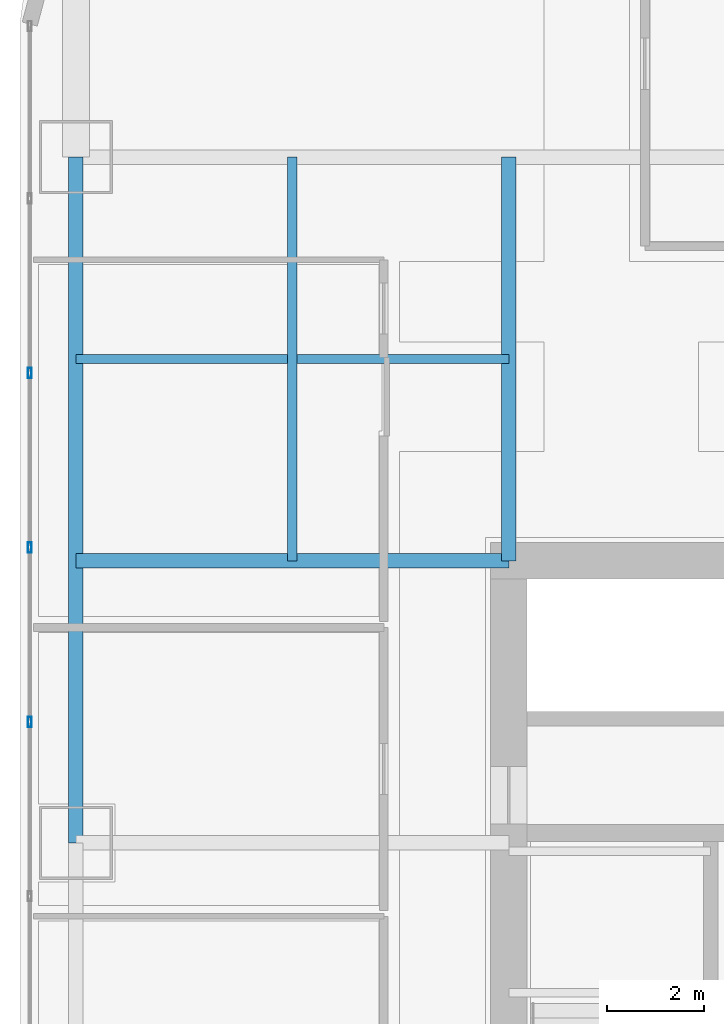
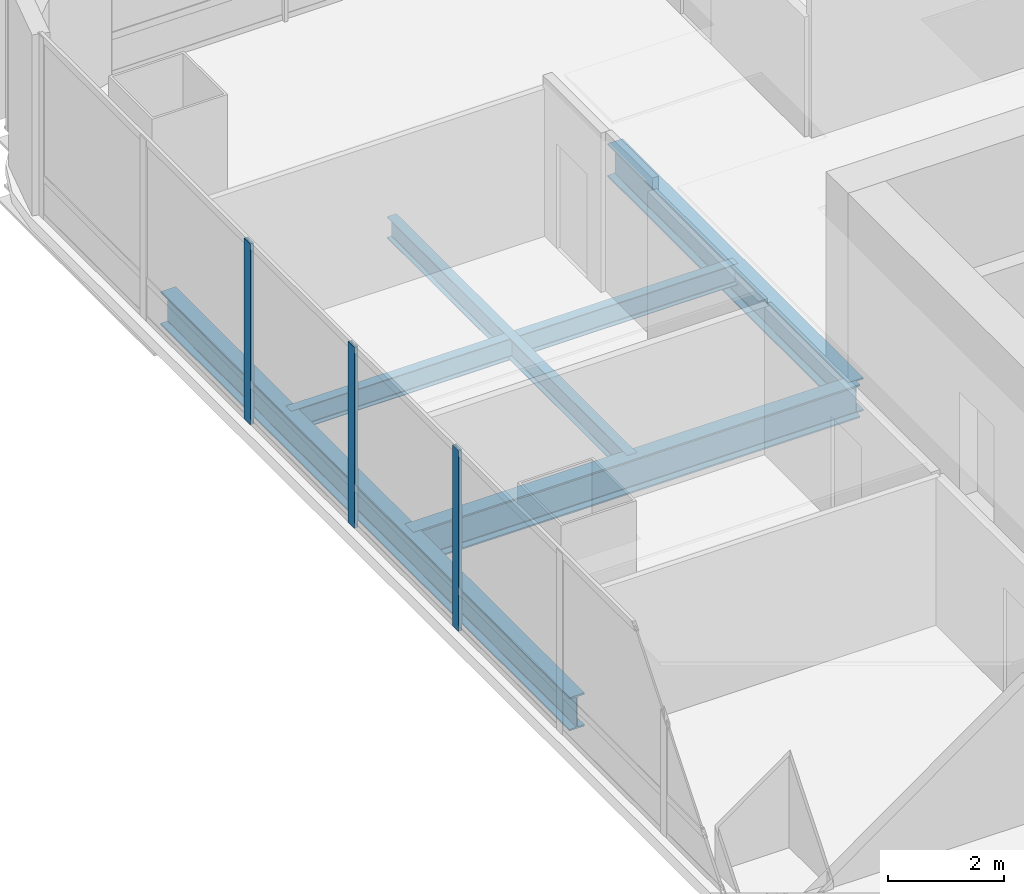
# One storey, part 11 of 34: 5 beams, 3 members, 1 element without a shape of its own.
"""IFC4 building model written with IfcOpenShell, lengths in metres."""

import ifcopenshell
import ifcopenshell.guid

model = None  # the IFC model being written
_history = None  # IfcOwnerHistory: only IFC2X3 demands one
_inside = {}  # id of a spatial element -> (the spatial element, [elements in it])
_under = {}  # id of a project, library or spatial element -> (it, [spatial elements below it])
_declared = {}  # id of a project -> (the project, [libraries it declares])
_typed = {}  # id of a type object -> (the type object, [elements of that type])
_made_of = {}  # id of a material, layer set ... -> (it, [elements and type objects made of it])


def new_model(schema):
    """Start an empty IFC model of exactly this schema.

    Asked for "IFC4X3", IfcOpenShell would pick the latest addendum, in which some entities
    have other attributes; the version numbers below select the first issue.
    IFC2X3 requires an IfcOwnerHistory on every rooted entity: one is made here for all.
    """
    global model, _history
    if schema == "IFC4X3":
        model = ifcopenshell.file(schema_version=(4, 3, 0, 0))
    else:
        model = ifcopenshell.file(schema=schema)
    _inside.clear()
    _under.clear()
    _declared.clear()
    _typed.clear()
    _made_of.clear()
    _history = None
    if model.schema == "IFC2X3":
        org = make("IfcOrganization", Name="unknown")
        user = make(
            "IfcPersonAndOrganization",
            ThePerson=make("IfcPerson", FamilyName="unknown"),
            TheOrganization=org,
        )
        app = make(
            "IfcApplication",
            ApplicationDeveloper=org,
            Version="unknown",
            ApplicationFullName="unknown",
            ApplicationIdentifier="unknown",
        )
        _history = make(
            "IfcOwnerHistory",
            OwningUser=user,
            OwningApplication=app,
            ChangeAction="ADDED",
            CreationDate=0,
        )
    return model


def make(cls, **values):
    """One entity of the class cls with the attributes given. An attribute that is None is left unset."""
    return model.create_entity(
        cls, **{name: value for name, value in values.items() if value is not None}
    )


def rooted(cls, **values):
    """An entity with a GlobalId (a new one), such as an element, a storey or a relation."""
    return make(cls, GlobalId=ifcopenshell.guid.new(), OwnerHistory=_history, **values)


def si_unit(unit_type, name, prefix=None):
    """IfcSIUnit, for example si_unit("LENGTHUNIT", "METRE", prefix="MILLI")."""
    return make("IfcSIUnit", UnitType=unit_type, Prefix=prefix, Name=name)


def assignment(units):
    """IfcUnitAssignment: the units of a project."""
    return None if units is None else make("IfcUnitAssignment", Units=units)


def point(xyz):
    """IfcCartesianPoint."""
    return None if xyz is None else make("IfcCartesianPoint", Coordinates=xyz)


def direction(xyz):
    """IfcDirection."""
    return None if xyz is None else make("IfcDirection", DirectionRatios=xyz)


def frame(location, z_axis=None, x_axis=None):
    """IfcAxis2Placement3D, a coordinate frame: its origin and axes. An axis left out is left unset."""
    return make(
        "IfcAxis2Placement3D",
        Location=point(location),
        Axis=direction(z_axis),
        RefDirection=direction(x_axis),
    )


def frame_2d(location, x_axis=None):
    """IfcAxis2Placement2D, a coordinate frame in the plane: its origin and x axis."""
    return make(
        "IfcAxis2Placement2D", Location=point(location), RefDirection=direction(x_axis)
    )


def origin():
    """The frame at (0, 0, 0) with its axes left unset."""
    return frame((0.0, 0.0, 0.0))


def origin_2d():
    """The frame at (0, 0) in the plane with its x axis left unset."""
    return frame_2d((0.0, 0.0))


def place(relative_to, where):
    """IfcLocalPlacement: puts the frame where relative to a parent placement (None: the world)."""
    return make(
        "IfcLocalPlacement", PlacementRelTo=relative_to, RelativePlacement=where
    )


def context(
    kind, dimensions, precision=None, world=None, true_north=None, identifier=None
):
    """IfcGeometricRepresentationContext, for example the 3D "Model" context."""
    return make(
        "IfcGeometricRepresentationContext",
        ContextIdentifier=identifier,
        ContextType=kind,
        CoordinateSpaceDimension=dimensions,
        Precision=precision,
        WorldCoordinateSystem=world,
        TrueNorth=true_north,
    )


def subcontext(parent, identifier, kind, view, scale=None):
    """IfcGeometricRepresentationSubContext, for example "Body" below "Model"."""
    return make(
        "IfcGeometricRepresentationSubContext",
        ContextIdentifier=identifier,
        ContextType=kind,
        ParentContext=parent,
        TargetScale=scale,
        TargetView=view,
    )


def project(units=None, contexts=None):
    """IfcProject with its units and contexts."""
    return rooted(
        "IfcProject",
        Name="project",
        RepresentationContexts=contexts,
        UnitsInContext=assignment(units),
    )


def spatial(cls, under=None, at=None, **own):
    """A site, building, storey or space (cls), placed at a placement, below another one or the project."""
    s = rooted(cls, ObjectPlacement=at, **own)
    if under is not None:
        _under.setdefault(under.id(), (under, []))[1].append(s)
    return s


def profile(cls, at=None, kind="AREA", **sizes):
    """A parametric profile (cls). Its sizes go by their IFC names, for example OverallWidth=200.0."""
    return make(cls, ProfileType=kind, Position=at, **sizes)


def hollow_rectangle(**sizes):
    """IfcRectangleHollowProfileDef."""
    return profile("IfcRectangleHollowProfileDef", **sizes)


def i_section(**sizes):
    """IfcIShapeProfileDef."""
    return profile("IfcIShapeProfileDef", **sizes)


def extrude(swept, where, along, depth):
    """IfcExtrudedAreaSolid: the profile swept, set in the frame where, extruded along a direction by depth."""
    return make(
        "IfcExtrudedAreaSolid",
        SweptArea=swept,
        Position=where,
        ExtrudedDirection=direction(along),
        Depth=depth,
    )


def shape(context_of_items, identifier, shape_type, items):
    """IfcShapeRepresentation: the items that make up one representation, for example the "Body"."""
    return make(
        "IfcShapeRepresentation",
        ContextOfItems=context_of_items,
        RepresentationIdentifier=identifier,
        RepresentationType=shape_type,
        Items=items,
    )


def material(Name=None, Category=None):
    """IfcMaterial."""
    return make("IfcMaterial", Name=Name, Category=Category)


def material_profile(
    of_material, cross_section, Name=None, Category=None, Priority=None
):
    """IfcMaterialProfile: a cross section and its material."""
    return make(
        "IfcMaterialProfile",
        Name=Name,
        Material=of_material,
        Profile=cross_section,
        Priority=Priority,
        Category=Category,
    )


def profile_set(profiles, Name=None, composite=None):
    """IfcMaterialProfileSet."""
    return make(
        "IfcMaterialProfileSet",
        Name=Name,
        MaterialProfiles=profiles,
        CompositeProfile=composite,
    )


def made_of(thing, what):
    """Note that an element or type object is made of a material, layer set ...; save() writes the relation."""
    if what is not None:
        _made_of.setdefault(what.id(), (what, []))[1].append(thing)
    return thing


def type_object(cls, material=None, **own):
    """A type object (cls), such as IfcWallType, which elements share."""
    return made_of(rooted(cls, **own), material)


def element(
    cls,
    number,
    at=None,
    inside=None,
    cuts=None,
    type_object=None,
    material=None,
    context=None,
    identifier="Body",
    shape_type=None,
    held_by="IfcProductDefinitionShape",
    body=None,
    shapes=None,
    **own,
):
    """One element of the class cls, such as IfcWall. Its Tag is "e" and its number.

    at: its placement. inside: the storey or other place that contains it. cuts: it is an
    opening in that element (IfcRelVoidsElement). A single representation is given by context,
    identifier, shape_type and body (its items); several are given by shapes. held_by: the class
    of the entity that holds the representations. save() writes the other relations.
    """
    e = rooted(cls, Tag="e%d" % number, ObjectPlacement=at, **own)
    if body is not None:
        shapes = [shape(context, identifier, shape_type, body)]
    if shapes is not None:
        e.Representation = make(held_by, Representations=shapes)
    if inside is not None:
        _inside.setdefault(inside.id(), (inside, []))[1].append(e)
    if cuts is not None:
        rooted(
            "IfcRelVoidsElement", RelatingBuildingElement=cuts, RelatedOpeningElement=e
        )
    if type_object is not None:
        _typed.setdefault(type_object.id(), (type_object, []))[1].append(e)
    return made_of(e, material)


def aggregate(whole, parts):
    """IfcRelAggregates: a whole, such as a stair, and the parts it consists of."""
    return rooted("IfcRelAggregates", RelatingObject=whole, RelatedObjects=parts)


def save(model, path):
    """Write the relations noted so far, then the file.

    IfcRelAggregates (storeys below a building ...), IfcRelContainedInSpatialStructure (elements
    in a storey), IfcRelDefinesByType, IfcRelAssociatesMaterial and IfcRelDeclares: one each for
    every whole, place, type object, material and project.
    """
    for whole, parts in _under.values():
        aggregate(whole, parts)
    for where, things in _inside.values():
        rooted(
            "IfcRelContainedInSpatialStructure",
            RelatedElements=things,
            RelatingStructure=where,
        )
    for kind, things in _typed.values():
        rooted("IfcRelDefinesByType", RelatedObjects=things, RelatingType=kind)
    for what, things in _made_of.values():
        rooted("IfcRelAssociatesMaterial", RelatedObjects=things, RelatingMaterial=what)
    for by, libraries in _declared.values():
        rooted("IfcRelDeclares", RelatingContext=by, RelatedDefinitions=libraries)
    model.write(path)


model = new_model("IFC4")

# Units and contexts
model_context = context("Model", 3, precision=1e-05, world=origin(), true_north=direction((0.0, 1.0)))
body_context = subcontext(model_context, "Body", "Model", "MODEL_VIEW")
ifc_project = project(units=[si_unit("LENGTHUNIT", "METRE"), si_unit("AREAUNIT", "SQUARE_METRE"), si_unit("VOLUMEUNIT", "CUBIC_METRE"), si_unit("PLANEANGLEUNIT", "RADIAN"), si_unit("MASSUNIT", "GRAM", prefix="KILO")], contexts=[model_context])

# Site, building, storey
site_placement = place(None, origin())
site = spatial("IfcSite", under=ifc_project, at=site_placement, CompositionType="ELEMENT")
building_placement = place(site_placement, origin())
building = spatial("IfcBuilding", under=site, at=building_placement, Name="Punatoya Terracotta Tower", CompositionType="ELEMENT")
storey_placement = place(building_placement, frame((0.0, 0.0, 117.300048828125)))
storey = spatial("IfcBuildingStorey", under=building, at=storey_placement, Name="L27", CompositionType="ELEMENT", Elevation=117.300048828125)

# Beams
ifc_material_1 = material(Name="Steel S355", Category="steel")
ifc_material_profile_1 = material_profile(ifc_material_1, i_section(OverallWidth=0.300048828125, OverallDepth=0.699951171875, WebThickness=0.01708984375, FlangeThickness=0.031982421875, FilletRadius=0.01806640625, at=origin_2d()))
ifc_profile_set_1 = profile_set([ifc_material_profile_1], Name="Steel S355")
beam_type_1 = type_object("IfcBeamType", Name="BM-PRI-700", PredefinedType="BEAM", material=ifc_profile_set_1)
beam_1_placement = place(storey_placement, frame((-19.10009765625, 3.39990234375, -0.590087890625), z_axis=(0.0, 1.0, 0.0), x_axis=(-1.0, 0.0, 0.0)))
element("IfcBeam", 1, at=beam_1_placement, inside=storey, type_object=beam_type_1, Name="BM-L27-RG-W3", PredefinedType="BEAM", context=body_context, shape_type="SweptSolid", body=[
    extrude(i_section(OverallWidth=0.300048828125, OverallDepth=0.699951171875, WebThickness=0.01708984375, FlangeThickness=0.031982421875, FilletRadius=0.01806640625, at=origin_2d()), origin(), (0.0, 0.0, 1.0), 14.10009765625),
])
beam_2_placement = place(storey_placement, frame((-19.10009765625, 9.199951171875, -0.590087890625), z_axis=(1.0, 0.0, 0.0), x_axis=(0.0, 1.0, 0.0)))
element("IfcBeam", 2, at=beam_2_placement, inside=storey, type_object=beam_type_1, Name="BM-L27-PR-WN", PredefinedType="BEAM", context=body_context, shape_type="SweptSolid", body=[
    extrude(i_section(OverallWidth=0.300048828125, OverallDepth=0.699951171875, WebThickness=0.01708984375, FlangeThickness=0.031982421875, FilletRadius=0.01806640625, at=origin_2d()), origin(), (0.0, 0.0, 1.0), 8.900146484375),
])
beam_3_placement = place(storey_placement, frame((-10.199951171875, 9.199951171875, -0.590087890625), z_axis=(0.0, 1.0, 0.0), x_axis=(-1.0, 0.0, 0.0)))
element("IfcBeam", 3, at=beam_3_placement, inside=storey, type_object=beam_type_1, Name="BM-L27-PR-N1", PredefinedType="BEAM", context=body_context, shape_type="SweptSolid", body=[
    extrude(i_section(OverallWidth=0.300048828125, OverallDepth=0.699951171875, WebThickness=0.01708984375, FlangeThickness=0.031982421875, FilletRadius=0.01806640625, at=origin_2d()), origin(), (0.0, 0.0, 1.0), 8.300048828125),
])
ifc_material_profile_2 = material_profile(ifc_material_1, i_section(OverallWidth=0.18994140625, OverallDepth=0.449951171875, WebThickness=0.009521484375, FlangeThickness=0.0146484375, FilletRadius=0.01806640625, at=origin_2d()))
ifc_profile_set_2 = profile_set([ifc_material_profile_2], Name="Steel S355")
beam_type_2 = type_object("IfcBeamType", Name="BM-SEC-450", PredefinedType="JOIST", material=ifc_profile_set_2)
beam_4_placement = place(storey_placement, frame((-19.10009765625, 13.35009765625, -0.465087890625), z_axis=(1.0, 0.0, 0.0), x_axis=(0.0, 1.0, 0.0)))
element("IfcBeam", 4, at=beam_4_placement, inside=storey, type_object=beam_type_2, Name="BM-L27-SJN-1", PredefinedType="JOIST", context=body_context, shape_type="SweptSolid", body=[
    extrude(i_section(OverallWidth=0.18994140625, OverallDepth=0.449951171875, WebThickness=0.009521484375, FlangeThickness=0.0146484375, FilletRadius=0.01806640625, at=origin_2d()), origin(), (0.0, 0.0, 1.0), 8.900146484375),
])
beam_5_placement = place(storey_placement, frame((-14.64990234375, 9.199951171875, -0.465087890625), z_axis=(0.0, 1.0, 0.0), x_axis=(-1.0, 0.0, 0.0)))
element("IfcBeam", 5, at=beam_5_placement, inside=storey, type_object=beam_type_2, Name="BM-L27-SJW-2", PredefinedType="JOIST", context=body_context, shape_type="SweptSolid", body=[
    extrude(i_section(OverallWidth=0.18994140625, OverallDepth=0.449951171875, WebThickness=0.009521484375, FlangeThickness=0.0146484375, FilletRadius=0.01806640625, at=origin_2d()), origin(), (0.0, 0.0, 1.0), 8.300048828125),
])

# Curtain wall, members
ifc_material_2 = material(Name="Aluminium 6063-T6 + Double Low-E Glass", Category="aluminium")
curtain_wall_type = type_object("IfcCurtainWallType", Name="CW-M1", PredefinedType="NOTDEFINED", material=ifc_material_2)
curtain_wall_placement = place(storey_placement, origin())
curtain_wall = element("IfcCurtainWall", 6, at=curtain_wall_placement, inside=storey, type_object=curtain_wall_type, Name="L27 Curtain Wall CW-L27-W12-1", PredefinedType="NOTDEFINED")
ifc_material_3 = material(Name="Aluminium 6063-T6", Category="aluminium")
ifc_material_profile_3 = material_profile(ifc_material_3, hollow_rectangle(XDim=0.074951171875, YDim=0.2099609375, WallThickness=0.00439453125, at=origin_2d()))
ifc_profile_set_3 = profile_set([ifc_material_profile_3], Name="Aluminium 6063-T6")
member_type = type_object("IfcMemberType", Name="CW-MUL-M1", PredefinedType="MULLION", material=ifc_profile_set_3)
member_1_placement = place(storey_placement, frame((-20.050048828125, 13.06201171875, 0.0), z_axis=(0.0, 0.0, 1.0), x_axis=(1.0, 0.0, 0.0)))
member_1 = element("IfcMember", 7, at=member_1_placement, type_object=member_type, Name="CW-L27-W12-1 Mullion 02", PredefinedType="MULLION", context=body_context, shape_type="SweptSolid", body=[
    extrude(hollow_rectangle(XDim=0.074951171875, YDim=0.2099609375, WallThickness=0.00439453125, at=origin_2d()), origin(), (0.0, 0.0, 1.0), 3.81005859375),
])
member_2_placement = place(storey_placement, frame((-20.050048828125, 9.474609375, 0.0), z_axis=(0.0, 0.0, 1.0), x_axis=(1.0, 0.0, 0.0)))
member_2 = element("IfcMember", 8, at=member_2_placement, type_object=member_type, Name="CW-L27-W12-1 Mullion 03", PredefinedType="MULLION", context=body_context, shape_type="SweptSolid", body=[
    extrude(hollow_rectangle(XDim=0.074951171875, YDim=0.2099609375, WallThickness=0.00439453125, at=origin_2d()), origin(), (0.0, 0.0, 1.0), 3.81005859375),
])
member_3_placement = place(storey_placement, frame((-20.050048828125, 5.88720703125, 0.0), z_axis=(0.0, 0.0, 1.0), x_axis=(1.0, 0.0, 0.0)))
member_3 = element("IfcMember", 9, at=member_3_placement, type_object=member_type, Name="CW-L27-W12-1 Mullion 04", PredefinedType="MULLION", context=body_context, shape_type="SweptSolid", body=[
    extrude(hollow_rectangle(XDim=0.074951171875, YDim=0.2099609375, WallThickness=0.00439453125, at=origin_2d()), origin(), (0.0, 0.0, 1.0), 3.81005859375),
])
aggregate(curtain_wall, [member_1, member_2, member_3])

save(model, "model.ifc")
